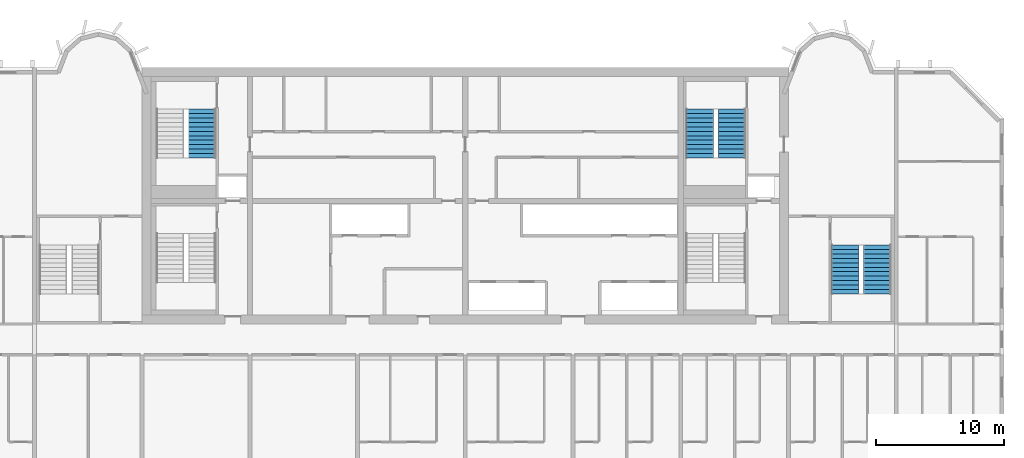
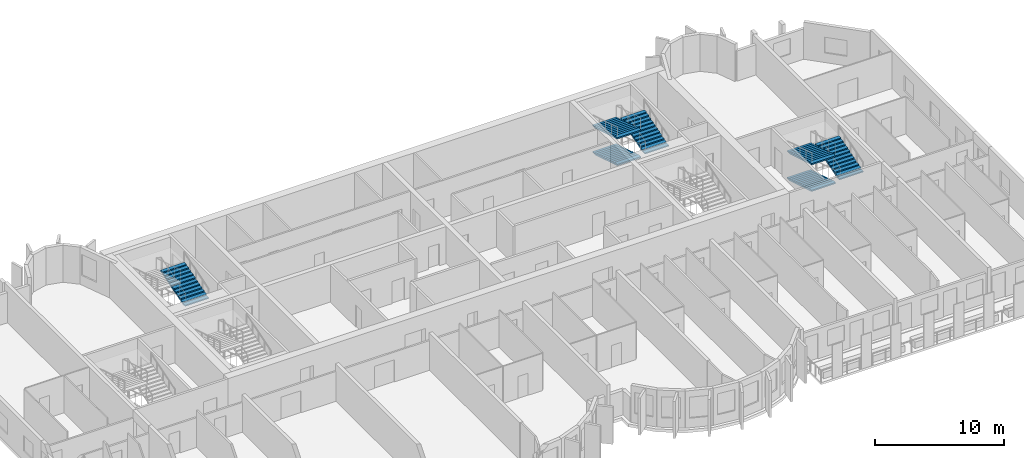
# One storey, part 10 of 13: 7 stair flights, 3 elements without a shape of their own.
"""IFC4 building model written with IfcOpenShell, lengths in metres."""

from ifc_helpers import new_model, si_unit, direction, frame, origin, place, context, subcontext, project, spatial, polyline, outline, extrude, source, transform, mapped, material, type_object, element, aggregate, save


model = new_model("IFC4")

# Units and contexts
model_context = context("Model", 3, precision=1e-05, world=origin(), true_north=direction((0.0, 1.0)))
body_context = subcontext(model_context, "Body", "Model", "MODEL_VIEW")
ifc_project = project(units=[si_unit("LENGTHUNIT", "METRE"), si_unit("AREAUNIT", "SQUARE_METRE"), si_unit("VOLUMEUNIT", "CUBIC_METRE"), si_unit("PLANEANGLEUNIT", "RADIAN"), si_unit("MASSUNIT", "GRAM", prefix="KILO")], contexts=[model_context])

# Site, building, storey
site_placement = place(None, origin())
site = spatial("IfcSite", under=ifc_project, at=site_placement, CompositionType="ELEMENT")
building_placement = place(site_placement, origin())
building = spatial("IfcBuilding", under=site, at=building_placement, Name="Vanashikhar Sky Hotel", CompositionType="ELEMENT")
storey_placement = place(building_placement, frame((0.0, 0.0, 197.199951171875)))
storey = spatial("IfcBuildingStorey", under=building, at=storey_placement, Name="L48", CompositionType="ELEMENT", Elevation=197.199951171875)

# Stair, stair flights
ifc_material = material(Name="Concrete M40", Category="concrete")
stair_type = type_object("IfcStairType", Name="Exit stair 2150", PredefinedType="DOUBLE_RETURN_STAIR", material=ifc_material)
stair_1_placement = place(storey_placement, origin())
stair_1 = element("IfcStair", 1, at=stair_1_placement, inside=storey, type_object=stair_type, Name="L48 Exit stair 4", PredefinedType="DOUBLE_RETURN_STAIR")
stair_flight_type = type_object("IfcStairFlightType", Name="Stair flight 2150", PredefinedType="STRAIGHT", material=ifc_material)
shared_shape = source(origin(), body_context, "Body", "SweptSolid", [
    extrude(outline(polyline([(0.0, 0.0), (0.0, 0.10546875), (0.345458984375, 0.10546875), (0.345458984375, 0.211181640625), (0.69091796875, 0.211181640625), (0.69091796875, 0.316650390625), (1.036376953125, 0.316650390625), (1.036376953125, 0.422119140625), (1.3818359375, 0.422119140625), (1.3818359375, 0.52783203125), (1.727294921875, 0.52783203125), (1.727294921875, 0.63330078125), (2.07275390625, 0.63330078125), (2.07275390625, 0.73876953125), (2.418212890625, 0.73876953125), (2.418212890625, 0.844482421875), (2.763671875, 0.844482421875), (2.763671875, 0.949951171875), (3.109130859375, 0.949951171875), (3.109130859375, 1.0556640625), (3.45458984375, 1.0556640625), (3.45458984375, 1.1611328125), (3.800048828125, 1.1611328125), (3.800048828125, 1.2666015625), (3.800048828125, 1.035400390625), (0.4111328125, 0.0), (0.0, 0.0)])), frame((0.0, 1.074951171875, 0.0), z_axis=(0.0, -1.0, 0.0), x_axis=(1.0, 0.0, 0.0)), (0.0, 0.0, 1.0), 2.14990234375),
])
stair_flight_1_placement = place(storey_placement, frame((80.02490234375, 28.14990234375, 0.0), z_axis=(0.0, 0.0, 1.0), x_axis=(0.0, -1.0, 0.0)))
stair_flight_1 = element("IfcStairFlight", 2, at=stair_flight_1_placement, type_object=stair_flight_type, Name="ST-E flight 1", NumberOfRisers=12, NumberOfTreads=11, PredefinedType="STRAIGHT", RiserHeight=0.105555556, TreadLength=0.345454545, context=body_context, shape_type="MappedRepresentation", body=[
    mapped(shared_shape, transform((0.0, 0.0, 0.0), scale=1.0)),
])
stair_flight_2_placement = place(storey_placement, frame((82.52490234375, 24.35009765625, 1.2666015625), z_axis=(0.0, 0.0, 1.0), x_axis=(0.0, 1.0, 0.0)))
stair_flight_2 = element("IfcStairFlight", 3, at=stair_flight_2_placement, type_object=stair_flight_type, Name="ST-E flight 2", NumberOfRisers=12, NumberOfTreads=11, PredefinedType="STRAIGHT", RiserHeight=0.105555556, TreadLength=0.345454545, context=body_context, shape_type="MappedRepresentation", body=[
    mapped(shared_shape, transform((0.0, 0.0, 0.0), scale=1.0)),
])
stair_flight_3_placement = place(storey_placement, frame((80.02490234375, 28.14990234375, 2.533447265625), z_axis=(0.0, 0.0, 1.0), x_axis=(0.0, -1.0, 0.0)))
stair_flight_3 = element("IfcStairFlight", 4, at=stair_flight_3_placement, type_object=stair_flight_type, Name="ST-E flight 3", NumberOfRisers=12, NumberOfTreads=11, PredefinedType="STRAIGHT", RiserHeight=0.105555556, TreadLength=0.345454545, context=body_context, shape_type="MappedRepresentation", body=[
    mapped(shared_shape, transform((0.0, 0.0, 0.0), scale=1.0)),
])
aggregate(stair_1, [stair_flight_1, stair_flight_2, stair_flight_3])

# Stair, stair flight
stair_2_placement = place(storey_placement, origin())
stair_2 = element("IfcStair", 5, at=stair_2_placement, inside=storey, type_object=stair_type, Name="L48 Exit stair 5", PredefinedType="DOUBLE_RETURN_STAIR")
stair_flight_4_placement = place(storey_placement, frame((29.875, 34.949951171875, 1.2666015625), z_axis=(0.0, 0.0, 1.0), x_axis=(0.0, 1.0, 0.0)))
stair_flight_4 = element("IfcStairFlight", 6, at=stair_flight_4_placement, type_object=stair_flight_type, Name="ST-C3 flight 2", NumberOfRisers=12, NumberOfTreads=11, PredefinedType="STRAIGHT", RiserHeight=0.105555556, TreadLength=0.345454545, context=body_context, shape_type="MappedRepresentation", body=[
    mapped(shared_shape, transform((0.0, 0.0, 0.0), scale=1.0)),
])
aggregate(stair_2, [stair_flight_4])

# Stair, stair flights
stair_3_placement = place(storey_placement, origin())
stair_3 = element("IfcStair", 7, at=stair_3_placement, inside=storey, type_object=stair_type, Name="L48 Exit stair 6", PredefinedType="DOUBLE_RETURN_STAIR")
stair_flight_5_placement = place(storey_placement, frame((68.675048828125, 38.75, 0.0), z_axis=(0.0, 0.0, 1.0), x_axis=(0.0, -1.0, 0.0)))
stair_flight_5 = element("IfcStairFlight", 8, at=stair_flight_5_placement, type_object=stair_flight_type, Name="ST-C4 flight 1", NumberOfRisers=12, NumberOfTreads=11, PredefinedType="STRAIGHT", RiserHeight=0.105555556, TreadLength=0.345454545, context=body_context, shape_type="MappedRepresentation", body=[
    mapped(shared_shape, transform((0.0, 0.0, 0.0), scale=1.0)),
])
stair_flight_6_placement = place(storey_placement, frame((71.175048828125, 34.949951171875, 1.2666015625), z_axis=(0.0, 0.0, 1.0), x_axis=(0.0, 1.0, 0.0)))
stair_flight_6 = element("IfcStairFlight", 9, at=stair_flight_6_placement, type_object=stair_flight_type, Name="ST-C4 flight 2", NumberOfRisers=12, NumberOfTreads=11, PredefinedType="STRAIGHT", RiserHeight=0.105555556, TreadLength=0.345454545, context=body_context, shape_type="MappedRepresentation", body=[
    mapped(shared_shape, transform((0.0, 0.0, 0.0), scale=1.0)),
])
stair_flight_7_placement = place(storey_placement, frame((68.675048828125, 38.75, 2.533447265625), z_axis=(0.0, 0.0, 1.0), x_axis=(0.0, -1.0, 0.0)))
stair_flight_7 = element("IfcStairFlight", 10, at=stair_flight_7_placement, type_object=stair_flight_type, Name="ST-C4 flight 3", NumberOfRisers=12, NumberOfTreads=11, PredefinedType="STRAIGHT", RiserHeight=0.105555556, TreadLength=0.345454545, context=body_context, shape_type="MappedRepresentation", body=[
    mapped(shared_shape, transform((0.0, 0.0, 0.0), scale=1.0)),
])
aggregate(stair_3, [stair_flight_5, stair_flight_6, stair_flight_7])

save(model, "model.ifc")
